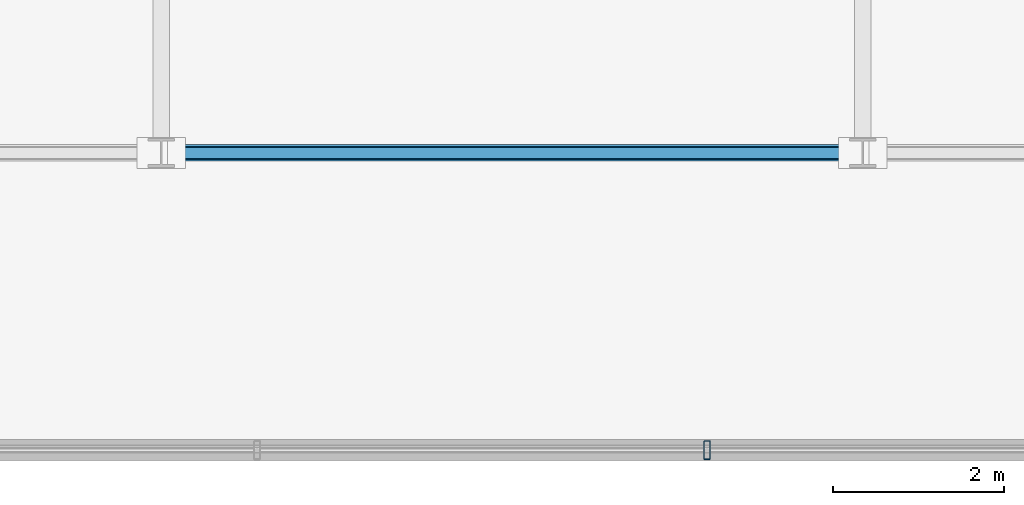
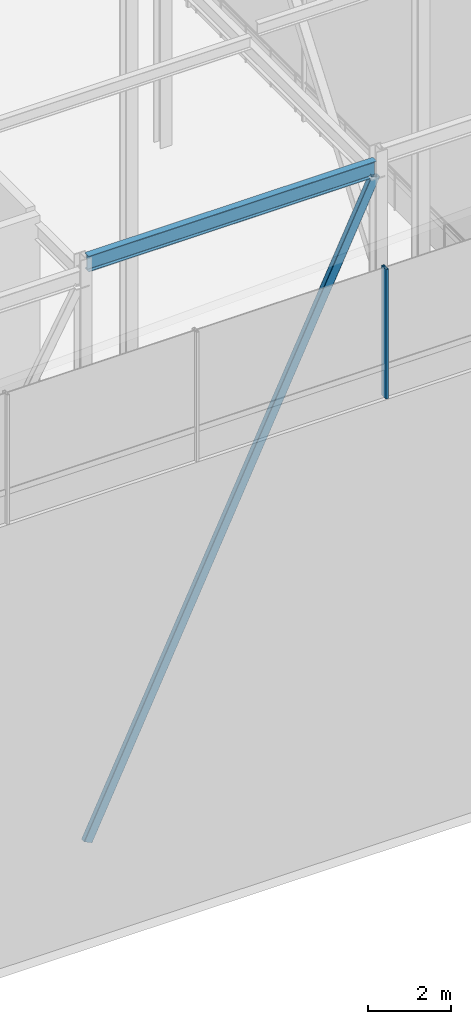
# One storey, part 16 of 39: 2 members, 1 beam, 1 element without a shape of its own.
"""IFC4 building model written with IfcOpenShell, lengths in metres."""

from ifc_helpers import new_model, si_unit, direction, frame, origin, origin_2d, place, context, subcontext, project, spatial, hollow_rectangle, i_section, extrude, material, layer, layer_set, material_profile, profile_set, type_object, element, aggregate, save


model = new_model("IFC4")

# Units and contexts
model_context = context("Model", 3, precision=1e-05, world=origin(), true_north=direction((0.0, 1.0)))
body_context = subcontext(model_context, "Body", "Model", "MODEL_VIEW")
ifc_project = project(units=[si_unit("LENGTHUNIT", "METRE"), si_unit("AREAUNIT", "SQUARE_METRE"), si_unit("VOLUMEUNIT", "CUBIC_METRE"), si_unit("PLANEANGLEUNIT", "RADIAN"), si_unit("MASSUNIT", "GRAM", prefix="KILO")], contexts=[model_context])

# Site, building, storey
site_placement = place(None, origin())
site = spatial("IfcSite", under=ifc_project, at=site_placement, CompositionType="ELEMENT")
building_placement = place(site_placement, origin())
building = spatial("IfcBuilding", under=site, at=building_placement, Name="Korimba Cascade Residences", CompositionType="ELEMENT")
storey_placement = place(building_placement, frame((0.0, 0.0, 264.199951171875)))
storey = spatial("IfcBuildingStorey", under=building, at=storey_placement, Name="RF", CompositionType="ELEMENT", Elevation=264.199951171875)

# Beam
ifc_material_1 = material(Name="Steel S355", Category="steel")
ifc_material_profile_1 = material_profile(ifc_material_1, i_section(OverallWidth=0.19140625, OverallDepth=0.4599609375, WebThickness=0.010009765625, FlangeThickness=0.01611328125, FilletRadius=0.01025390625, at=origin_2d()), Name="Steel S355")
ifc_profile_set_1 = profile_set([ifc_material_profile_1], Name="Steel S355")
beam_type = type_object("IfcBeamType", Name="BM-STL-UB457", PredefinedType="JOIST", material=ifc_profile_set_1)
beam_placement = place(storey_placement, frame((112.205078125, 55.199951171875, 16.980712890625), z_axis=(1.0, 0.0, 0.0), x_axis=(0.0, 1.0, 0.0)))
element("IfcBeam", 1, at=beam_placement, inside=storey, type_object=beam_type, Name="RF Crown Cap Ring Beam E1.2", PredefinedType="JOIST", context=body_context, shape_type="SweptSolid", body=[
    extrude(i_section(OverallWidth=0.19140625, OverallDepth=0.4599609375, WebThickness=0.010009765625, FlangeThickness=0.01611328125, FilletRadius=0.01025390625, at=origin_2d()), origin(), (0.0, 0.0, 1.0), 7.989990234375),
])

# Curtain wall, member
ifc_material_2 = material(Name="Anodised Aluminium Curtain Wall Framing", Category="aluminium")
ifc_layer = layer(ifc_material_2, 0.179931640625)
ifc_layer_set = layer_set([ifc_layer], Name="Anodised Aluminium Curtain Wall Framing")
curtain_wall_type = type_object("IfcCurtainWallType", Name="CW-CRNW-SYS5", PredefinedType="NOTDEFINED", material=ifc_layer_set)
curtain_wall_placement = place(storey_placement, origin())
curtain_wall = element("IfcCurtainWall", 2, at=curtain_wall_placement, inside=storey, type_object=curtain_wall_type, Name="RF Curtain Wall CW-RF-CRN-E-3", PredefinedType="NOTDEFINED")
ifc_material_3 = material(Name="Anodised Aluminium Mullion", Category="aluminium")
ifc_material_profile_2 = material_profile(ifc_material_3, hollow_rectangle(XDim=0.080078125, YDim=0.219970703125, WallThickness=0.00634765625, InnerFilletRadius=0.00634765625, OuterFilletRadius=0.0126953125, at=origin_2d()), Name="Anodised Aluminium Mullion")
ifc_profile_set_2 = profile_set([ifc_material_profile_2], Name="Anodised Aluminium Mullion")
member_type_1 = type_object("IfcMemberType", Name="CWM-MUL-220", PredefinedType="MULLION", material=ifc_profile_set_2)
member_1_placement = place(storey_placement, frame((118.47998046875, 51.72509765625, 12.949951171875), z_axis=(0.0, 0.0, 1.0), x_axis=(1.0, 0.0, 0.0)))
member_1 = element("IfcMember", 3, at=member_1_placement, type_object=member_type_1, Name="CW-RF-CRN-E-3 Mullion 4", PredefinedType="MULLION", context=body_context, shape_type="SweptSolid", body=[
    extrude(hollow_rectangle(XDim=0.080078125, YDim=0.219970703125, WallThickness=0.00634765625, InnerFilletRadius=0.00634765625, OuterFilletRadius=0.0126953125, at=origin_2d()), origin(), (0.0, 0.0, 1.0), 3.800048828125),
])
aggregate(curtain_wall, [member_1])

# Member
ifc_material_profile_3 = material_profile(ifc_material_1, hollow_rectangle(XDim=0.14990234375, YDim=0.25, WallThickness=0.009033203125, InnerFilletRadius=0.009033203125, OuterFilletRadius=0.01806640625, at=origin_2d()), Name="Steel S355")
ifc_profile_set_3 = profile_set([ifc_material_profile_3], Name="Steel S355")
member_type_2 = type_object("IfcMemberType", Name="MEM-CRN-RHS250", PredefinedType="BRACE", material=ifc_profile_set_3)
member_2_placement = place(storey_placement, frame((112.205078125, 55.199951171875, 0.0), z_axis=(0.430396535474, 0.0, 0.902639918379), x_axis=(0.0, 1.0, 0.0)))
element("IfcMember", 4, at=member_2_placement, inside=storey, type_object=member_type_2, Name="RF CROWN FRAME Diagonal Brace E1.2", PredefinedType="BRACE", context=body_context, shape_type="SweptSolid", body=[
    extrude(hollow_rectangle(XDim=0.14990234375, YDim=0.25, WallThickness=0.009033203125, InnerFilletRadius=0.009033203125, OuterFilletRadius=0.01806640625, at=origin_2d()), origin(), (0.0, 0.0, 1.0), 18.564208984375),
])

save(model, "model.ifc")
